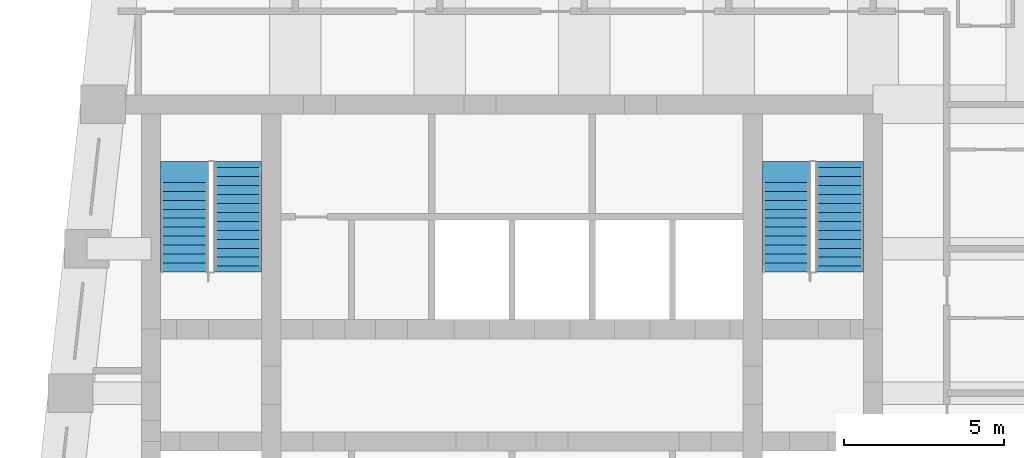
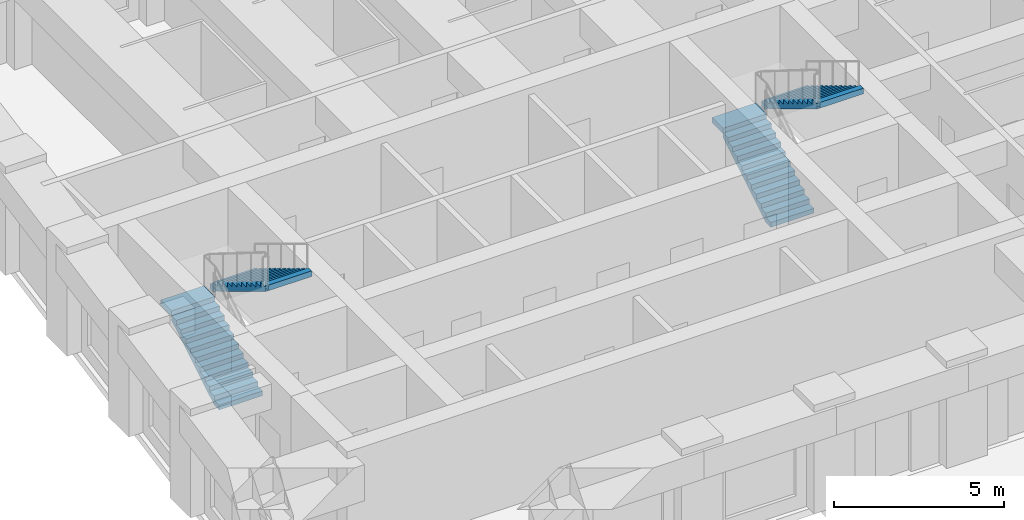
# One storey, part 6 of 7: 4 stair flights, 2 elements without a shape of their own.
"""IFC4 building model written with IfcOpenShell, lengths in metres."""

from ifc_helpers import new_model, si_unit, direction, frame, origin, place, context, subcontext, project, spatial, polyline, outline, extrude, material, type_object, element, aggregate, save


model = new_model("IFC4")

# Units and contexts
model_context = context("Model", 3, precision=1e-05, world=origin(), true_north=direction((0.0, 1.0)))
body_context = subcontext(model_context, "Body", "Model", "MODEL_VIEW")
ifc_project = project(units=[si_unit("LENGTHUNIT", "METRE"), si_unit("AREAUNIT", "SQUARE_METRE"), si_unit("VOLUMEUNIT", "CUBIC_METRE"), si_unit("PLANEANGLEUNIT", "RADIAN"), si_unit("MASSUNIT", "GRAM", prefix="KILO")], contexts=[model_context])

# Site, building, storey
site_placement = place(None, origin())
site = spatial("IfcSite", under=ifc_project, at=site_placement, CompositionType="ELEMENT")
building_placement = place(site_placement, origin())
building = spatial("IfcBuilding", under=site, at=building_placement, Name="Kilele Tower Hotel", CompositionType="ELEMENT")
storey_placement = place(building_placement, frame((0.0, 0.0, 250.699951171875)))
storey = spatial("IfcBuildingStorey", under=building, at=storey_placement, Name="L64", CompositionType="ELEMENT", Elevation=250.699951171875)

# Stair, stair flights
ifc_material_1 = material(Name="Precast concrete C40/50", Category="concrete")
stair_type = type_object("IfcStairType", Name="Stair 1475 x 3900", PredefinedType="HALF_TURN_STAIR", material=ifc_material_1)
stair_1_placement = place(storey_placement, origin())
stair_1 = element("IfcStair", 1, at=stair_1_placement, inside=storey, type_object=stair_type, Name="Stair 1 L64", PredefinedType="HALF_TURN_STAIR")
ifc_material_2 = material(Name="Precast concrete C40/50", Category="concrete")
stair_flight_type = type_object("IfcStairFlightType", Name="Flight 1475 riser 169.6", PredefinedType="STRAIGHT", material=ifc_material_2)
stair_flight_1_placement = place(storey_placement, frame((14.53759765625, 21.77490234375, 0.0), z_axis=(0.0, 0.0, 1.0), x_axis=(0.0, 1.0, 0.0)))
stair_flight_1 = element("IfcStairFlight", 2, at=stair_flight_1_placement, type_object=stair_flight_type, Name="ST1 flight 1", NumberOfRisers=11, NumberOfTreads=10, PredefinedType="STRAIGHT", RiserHeight=0.169565217, TreadLength=0.28, context=body_context, shape_type="SweptSolid", body=[
    extrude(outline(polyline([(0.0, 0.0), (0.0, 0.169677734375), (0.280029296875, 0.169677734375), (0.280029296875, 0.339111328125), (0.56005859375, 0.339111328125), (0.56005859375, 0.5087890625), (0.840087890625, 0.5087890625), (0.840087890625, 0.67822265625), (1.1201171875, 0.67822265625), (1.1201171875, 0.847900390625), (1.39990234375, 0.847900390625), (1.39990234375, 1.017333984375), (1.679931640625, 1.017333984375), (1.679931640625, 1.18701171875), (1.9599609375, 1.18701171875), (1.9599609375, 1.3564453125), (2.239990234375, 1.3564453125), (2.239990234375, 1.526123046875), (2.52001953125, 1.526123046875), (2.52001953125, 1.695556640625), (2.800048828125, 1.695556640625), (2.800048828125, 1.865234375), (2.800048828125, 1.5205078125), (0.289306640625, 0.0), (0.0, 0.0)])), frame((0.0, 0.737548828125, 0.0), z_axis=(0.0, -1.0, 0.0), x_axis=(1.0, 0.0, 0.0)), (0.0, 0.0, 1.0), 1.47509765625),
    extrude(outline(polyline([(2.800048828125, 0.737548828125), (2.800048828125, -0.7373046875), (3.4501953125, -0.7373046875), (3.4501953125, 0.737548828125), (2.800048828125, 0.737548828125)])), frame((0.0, 0.0, 1.665283203125)), (0.0, 0.0, 1.0), 0.199951171875),
])
stair_flight_2_placement = place(storey_placement, frame((16.21240234375, 25.0400390625, 1.865234375), z_axis=(0.0, 0.0, 1.0), x_axis=(0.0, -1.0, 0.0)))
stair_flight_2 = element("IfcStairFlight", 3, at=stair_flight_2_placement, type_object=stair_flight_type, Name="ST1 flight 2", NumberOfRisers=12, NumberOfTreads=11, PredefinedType="STRAIGHT", RiserHeight=0.169565217, TreadLength=0.28, context=body_context, shape_type="SweptSolid", body=[
    extrude(outline(polyline([(0.0, 0.0), (0.0, 0.169677734375), (0.280029296875, 0.169677734375), (0.280029296875, 0.339111328125), (0.56005859375, 0.339111328125), (0.56005859375, 0.5087890625), (0.840087890625, 0.5087890625), (0.840087890625, 0.67822265625), (1.1201171875, 0.67822265625), (1.1201171875, 0.847900390625), (1.39990234375, 0.847900390625), (1.39990234375, 1.017333984375), (1.679931640625, 1.017333984375), (1.679931640625, 1.18701171875), (1.9599609375, 1.18701171875), (1.9599609375, 1.3564453125), (2.239990234375, 1.3564453125), (2.239990234375, 1.526123046875), (2.52001953125, 1.526123046875), (2.52001953125, 1.695556640625), (2.800048828125, 1.695556640625), (2.800048828125, 1.865234375), (3.080078125, 1.865234375), (3.080078125, 2.03466796875), (3.080078125, 1.68994140625), (0.289306640625, 0.0), (0.0, 0.0)])), frame((0.0, 0.737548828125, 0.0), z_axis=(0.0, -1.0, 0.0), x_axis=(1.0, 0.0, 0.0)), (0.0, 0.0, 1.0), 1.47509765625),
    extrude(outline(polyline([(0.0, -0.7373046875), (0.0, 0.737548828125), (-0.18505859375, 0.737548828125), (-0.18505859375, -0.7373046875), (0.0, -0.7373046875)])), frame((0.0, 0.0, -0.199951171875)), (0.0, 0.0, 1.0), 0.199951171875),
    extrude(outline(polyline([(3.26513671875, -0.7373046875), (3.26513671875, 0.737548828125), (3.080078125, 0.737548828125), (3.080078125, -0.7373046875), (3.26513671875, -0.7373046875)])), frame((0.0, 0.0, 1.834716796875)), (0.0, 0.0, 1.0), 0.199951171875),
])
aggregate(stair_1, [stair_flight_1, stair_flight_2])

stair_2_placement = place(storey_placement, origin())
stair_2 = element("IfcStair", 4, at=stair_2_placement, inside=storey, type_object=stair_type, Name="Stair 2 L64", PredefinedType="HALF_TURN_STAIR")
stair_flight_3_placement = place(storey_placement, frame((33.28759765625, 21.77490234375, 0.0), z_axis=(0.0, 0.0, 1.0), x_axis=(0.0, 1.0, 0.0)))
stair_flight_3 = element("IfcStairFlight", 5, at=stair_flight_3_placement, type_object=stair_flight_type, Name="ST2 flight 1", NumberOfRisers=11, NumberOfTreads=10, PredefinedType="STRAIGHT", RiserHeight=0.169565217, TreadLength=0.28, context=body_context, shape_type="SweptSolid", body=[
    extrude(outline(polyline([(0.0, 0.0), (0.0, 0.169677734375), (0.280029296875, 0.169677734375), (0.280029296875, 0.339111328125), (0.56005859375, 0.339111328125), (0.56005859375, 0.5087890625), (0.840087890625, 0.5087890625), (0.840087890625, 0.67822265625), (1.1201171875, 0.67822265625), (1.1201171875, 0.847900390625), (1.39990234375, 0.847900390625), (1.39990234375, 1.017333984375), (1.679931640625, 1.017333984375), (1.679931640625, 1.18701171875), (1.9599609375, 1.18701171875), (1.9599609375, 1.3564453125), (2.239990234375, 1.3564453125), (2.239990234375, 1.526123046875), (2.52001953125, 1.526123046875), (2.52001953125, 1.695556640625), (2.800048828125, 1.695556640625), (2.800048828125, 1.865234375), (2.800048828125, 1.5205078125), (0.289306640625, 0.0), (0.0, 0.0)])), frame((0.0, 0.737548828125, 0.0), z_axis=(0.0, -1.0, 0.0), x_axis=(1.0, 0.0, 0.0)), (0.0, 0.0, 1.0), 1.47509765625),
    extrude(outline(polyline([(2.800048828125, 0.737548828125), (2.800048828125, -0.7373046875), (3.4501953125, -0.7373046875), (3.4501953125, 0.737548828125), (2.800048828125, 0.737548828125)])), frame((0.0, 0.0, 1.665283203125)), (0.0, 0.0, 1.0), 0.199951171875),
])
stair_flight_4_placement = place(storey_placement, frame((34.96240234375, 25.0400390625, 1.865234375), z_axis=(0.0, 0.0, 1.0), x_axis=(0.0, -1.0, 0.0)))
stair_flight_4 = element("IfcStairFlight", 6, at=stair_flight_4_placement, type_object=stair_flight_type, Name="ST2 flight 2", NumberOfRisers=12, NumberOfTreads=11, PredefinedType="STRAIGHT", RiserHeight=0.169565217, TreadLength=0.28, context=body_context, shape_type="SweptSolid", body=[
    extrude(outline(polyline([(0.0, 0.0), (0.0, 0.169677734375), (0.280029296875, 0.169677734375), (0.280029296875, 0.339111328125), (0.56005859375, 0.339111328125), (0.56005859375, 0.5087890625), (0.840087890625, 0.5087890625), (0.840087890625, 0.67822265625), (1.1201171875, 0.67822265625), (1.1201171875, 0.847900390625), (1.39990234375, 0.847900390625), (1.39990234375, 1.017333984375), (1.679931640625, 1.017333984375), (1.679931640625, 1.18701171875), (1.9599609375, 1.18701171875), (1.9599609375, 1.3564453125), (2.239990234375, 1.3564453125), (2.239990234375, 1.526123046875), (2.52001953125, 1.526123046875), (2.52001953125, 1.695556640625), (2.800048828125, 1.695556640625), (2.800048828125, 1.865234375), (3.080078125, 1.865234375), (3.080078125, 2.03466796875), (3.080078125, 1.68994140625), (0.289306640625, 0.0), (0.0, 0.0)])), frame((0.0, 0.737548828125, 0.0), z_axis=(0.0, -1.0, 0.0), x_axis=(1.0, 0.0, 0.0)), (0.0, 0.0, 1.0), 1.47509765625),
    extrude(outline(polyline([(0.0, -0.7373046875), (0.0, 0.737548828125), (-0.18505859375, 0.737548828125), (-0.18505859375, -0.7373046875), (0.0, -0.7373046875)])), frame((0.0, 0.0, -0.199951171875)), (0.0, 0.0, 1.0), 0.199951171875),
    extrude(outline(polyline([(3.26513671875, -0.7373046875), (3.26513671875, 0.737548828125), (3.080078125, 0.737548828125), (3.080078125, -0.7373046875), (3.26513671875, -0.7373046875)])), frame((0.0, 0.0, 1.834716796875)), (0.0, 0.0, 1.0), 0.199951171875),
])
aggregate(stair_2, [stair_flight_3, stair_flight_4])

save(model, "model.ifc")
